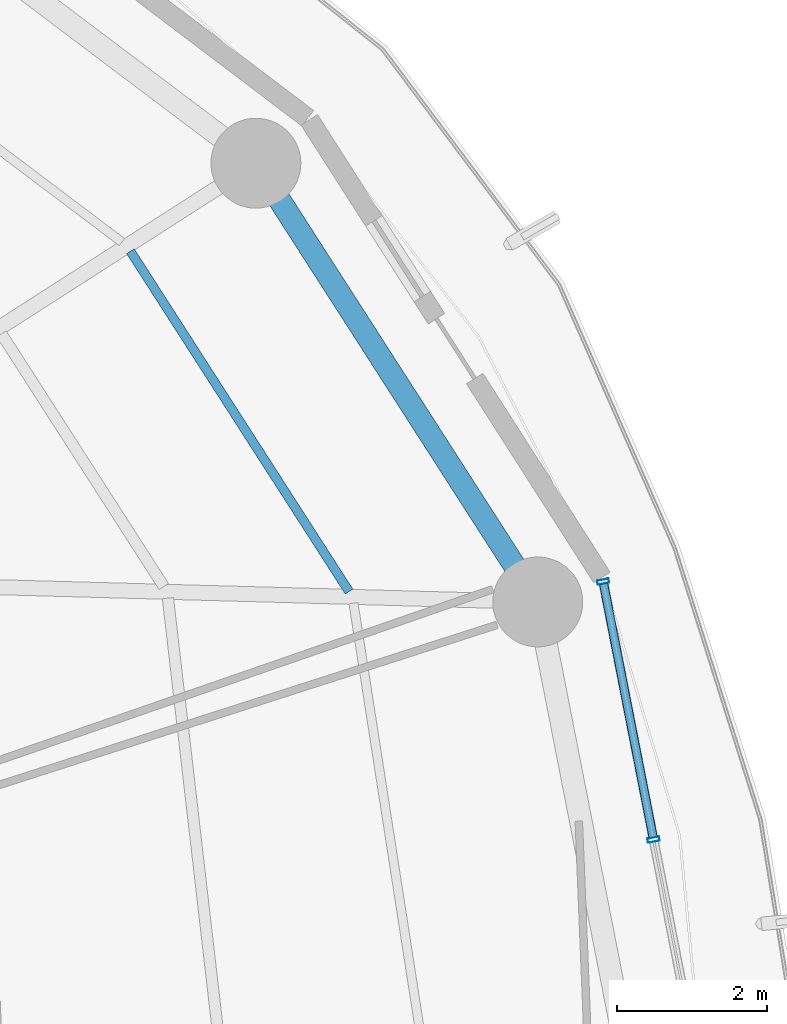
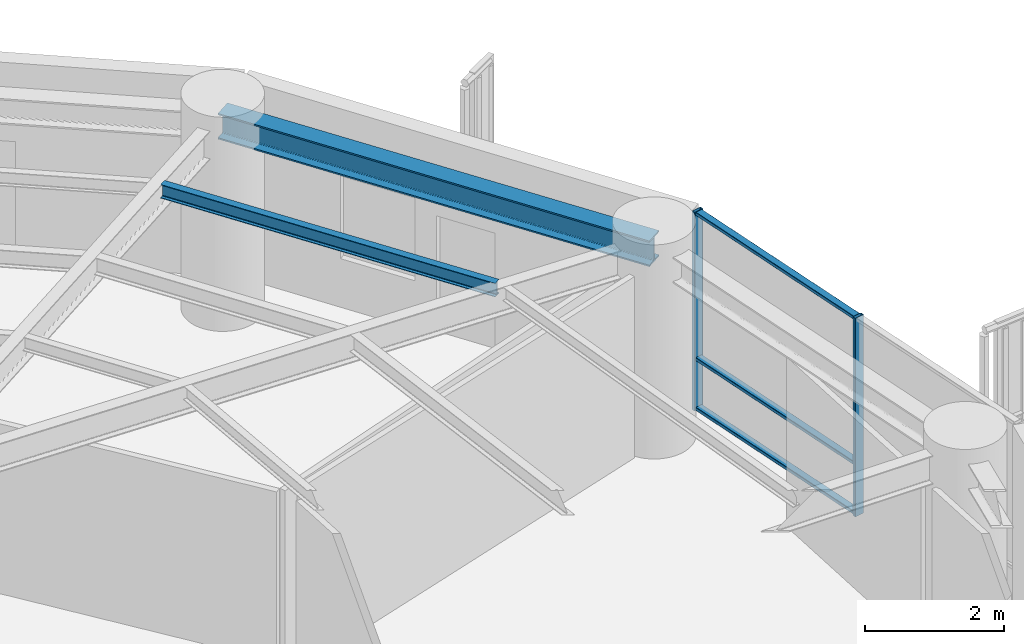
# One storey, part 15 of 28: 5 members, 2 beams, 1 element without a shape of its own.
"""IFC4 building model written with IfcOpenShell, lengths in metres."""

from ifc_helpers import new_model, si_unit, direction, frame, origin, origin_2d, place, context, subcontext, project, spatial, hollow_rectangle, i_section, extrude, material, layer, layer_set, material_profile, profile_set, type_object, element, aggregate, save


model = new_model("IFC4")

# Units and contexts
model_context = context("Model", 3, precision=1e-05, world=origin(), true_north=direction((0.0, 1.0)))
body_context = subcontext(model_context, "Body", "Model", "MODEL_VIEW")
ifc_project = project(units=[si_unit("LENGTHUNIT", "METRE"), si_unit("AREAUNIT", "SQUARE_METRE"), si_unit("VOLUMEUNIT", "CUBIC_METRE"), si_unit("PLANEANGLEUNIT", "RADIAN"), si_unit("MASSUNIT", "GRAM", prefix="KILO")], contexts=[model_context])

# Site, building, storey
site_placement = place(None, origin())
site = spatial("IfcSite", under=ifc_project, at=site_placement, CompositionType="ELEMENT")
building_placement = place(site_placement, origin())
building = spatial("IfcBuilding", under=site, at=building_placement, Name="Kelanora Arch Commons", CompositionType="ELEMENT")
storey_placement = place(building_placement, frame((0.0, 0.0, 176.85009765625)))
storey = spatial("IfcBuildingStorey", under=building, at=storey_placement, Name="L45", CompositionType="ELEMENT", Elevation=176.85009765625)

# Beams
ifc_material_1 = material(Name="Steel S355", Category="steel")
ifc_material_profile_1 = material_profile(ifc_material_1, i_section(OverallWidth=0.1201171875, OverallDepth=0.239990234375, WebThickness=0.006103515625, FlangeThickness=0.009765625, FilletRadius=0.014892578125, at=origin_2d()), Name="IPE240")
ifc_profile_set_1 = profile_set([ifc_material_profile_1], Name="Steel S355")
beam_type_1 = type_object("IfcBeamType", Name="BM-JST-02", PredefinedType="JOIST", material=ifc_profile_set_1)
beam_1_placement = place(storey_placement, frame((91.85205078125, 64.801513671875, 3.369873046875), z_axis=(-0.540581678156, 0.841291536414, 0.0), x_axis=(-0.841291536414, -0.540581678156, 0.0)))
element("IfcBeam", 1, at=beam_1_placement, inside=storey, type_object=beam_type_1, Name="Secondary Chord Joist BJC-02 L45", PredefinedType="JOIST", context=body_context, shape_type="SweptSolid", body=[
    extrude(i_section(OverallWidth=0.1201171875, OverallDepth=0.239990234375, WebThickness=0.006103515625, FlangeThickness=0.009765625, FilletRadius=0.014892578125, at=origin_2d()), origin(), (0.0, 0.0, 1.0), 5.4013671875),
])
ifc_material_profile_2 = material_profile(ifc_material_1, i_section(OverallWidth=0.300048828125, OverallDepth=0.449951171875, WebThickness=0.013916015625, FlangeThickness=0.02587890625, FilletRadius=0.027099609375, at=origin_2d()), Name="HEB450")
ifc_profile_set_2 = profile_set([ifc_material_profile_2], Name="Steel S355")
beam_type_2 = type_object("IfcBeamType", Name="BM-SPN-Z3", PredefinedType="SPANDREL", material=ifc_profile_set_2)
beam_2_placement = place(storey_placement, frame((94.37255859375, 64.66259765625, 3.264892578125), z_axis=(-0.540576852469, 0.841294637196, 0.0), x_axis=(-0.841294637196, -0.540576852469, 0.0)))
element("IfcBeam", 2, at=beam_2_placement, inside=storey, type_object=beam_type_2, Name="Perimeter Spandrel Beam BS-02 L45", PredefinedType="SPANDREL", context=body_context, shape_type="SweptSolid", body=[
    extrude(i_section(OverallWidth=0.300048828125, OverallDepth=0.449951171875, WebThickness=0.013916015625, FlangeThickness=0.02587890625, FilletRadius=0.027099609375, at=origin_2d()), origin(), (0.0, 0.0, 1.0), 6.964111328125),
])

# Curtain wall, members
ifc_material_2 = material(Name="Terracotta ceramic-fritted low-E glass and aluminium", Category="masonry")
ifc_layer = layer(ifc_material_2, 0.175048828125)
ifc_layer_set = layer_set([ifc_layer], Name="Terracotta ceramic-fritted low-E glass and aluminium")
curtain_wall_type = type_object("IfcCurtainWallType", Name="CW-SYS-02", PredefinedType="NOTDEFINED", material=ifc_layer_set)
curtain_wall_placement = place(storey_placement, origin())
curtain_wall = element("IfcCurtainWall", 3, at=curtain_wall_placement, inside=storey, type_object=curtain_wall_type, Name="Unitised Curtain Wall L45-B00", PredefinedType="NOTDEFINED")
ifc_material_3 = material(Name="Powder-coated aluminium terracotta", Category="masonry")
ifc_material_profile_3 = material_profile(ifc_material_3, hollow_rectangle(XDim=0.159912109375, YDim=0.06005859375, WallThickness=0.0048828125, InnerFilletRadius=0.0048828125, OuterFilletRadius=0.010009765625, at=origin_2d()), Name="CWM160x60")
ifc_profile_set_3 = profile_set([ifc_material_profile_3], Name="Powder-coated aluminium terracotta")
member_type_1 = type_object("IfcMemberType", Name="CWM-STD", PredefinedType="MULLION", material=ifc_profile_set_3)
member_1_placement = place(storey_placement, frame((95.91845703125, 61.488525390625, 0.0), z_axis=(0.0, 0.0, 1.0), x_axis=(-0.981452557718, -0.191705182375, 0.0)))
member_1 = element("IfcMember", 4, at=member_1_placement, type_object=member_type_1, Name="CW-02 mullion 2", PredefinedType="MULLION", context=body_context, shape_type="SweptSolid", body=[
    extrude(hollow_rectangle(XDim=0.159912109375, YDim=0.06005859375, WallThickness=0.0048828125, InnerFilletRadius=0.0048828125, OuterFilletRadius=0.010009765625, at=origin_2d()), origin(), (0.0, 0.0, 1.0), 3.474853515625),
])
member_2_placement = place(storey_placement, frame((95.245849609375, 64.93310546875, 0.0), z_axis=(0.0, 0.0, 1.0), x_axis=(-0.981452557718, -0.191705182375, 0.0)))
member_2 = element("IfcMember", 5, at=member_2_placement, type_object=member_type_1, Name="CW-02 mullion 3", PredefinedType="MULLION", context=body_context, shape_type="SweptSolid", body=[
    extrude(hollow_rectangle(XDim=0.159912109375, YDim=0.06005859375, WallThickness=0.0048828125, InnerFilletRadius=0.0048828125, OuterFilletRadius=0.010009765625, at=origin_2d()), origin(), (0.0, 0.0, 1.0), 3.474853515625),
])
ifc_material_profile_4 = material_profile(ifc_material_3, hollow_rectangle(XDim=0.1201171875, YDim=0.06005859375, WallThickness=0.0048828125, InnerFilletRadius=0.0048828125, OuterFilletRadius=0.010009765625, at=origin_2d()), Name="CWT120x60")
ifc_profile_set_4 = profile_set([ifc_material_profile_4], Name="Powder-coated aluminium terracotta")
member_type_2 = type_object("IfcMemberType", Name="CWT-STD", PredefinedType="USERDEFINED", material=ifc_profile_set_4)
member_3_placement = place(storey_placement, frame((95.912841796875, 61.51806640625, 0.02978515625), z_axis=(-0.191731523726, 0.981447412147, 0.0), x_axis=(-0.981447412147, -0.191731523726, 0.0)))
member_3 = element("IfcMember", 6, at=member_3_placement, type_object=member_type_2, Name="CW-02 transom 2.1", ObjectType="TRANSOM", PredefinedType="USERDEFINED", context=body_context, shape_type="SweptSolid", body=[
    extrude(hollow_rectangle(XDim=0.1201171875, YDim=0.06005859375, WallThickness=0.0048828125, InnerFilletRadius=0.0048828125, OuterFilletRadius=0.010009765625, at=origin_2d()), origin(), (0.0, 0.0, 1.0), 3.449462890625),
])
member_4_placement = place(storey_placement, frame((95.912841796875, 61.51806640625, 0.89990234375), z_axis=(-0.191731523726, 0.981447412147, 0.0), x_axis=(-0.981447412147, -0.191731523726, 0.0)))
member_4 = element("IfcMember", 7, at=member_4_placement, type_object=member_type_2, Name="CW-02 transom 2.2", ObjectType="TRANSOM", PredefinedType="USERDEFINED", context=body_context, shape_type="SweptSolid", body=[
    extrude(hollow_rectangle(XDim=0.1201171875, YDim=0.06005859375, WallThickness=0.0048828125, InnerFilletRadius=0.0048828125, OuterFilletRadius=0.010009765625, at=origin_2d()), origin(), (0.0, 0.0, 1.0), 3.449462890625),
])
member_5_placement = place(storey_placement, frame((95.912841796875, 61.51806640625, 3.44482421875), z_axis=(-0.191731523726, 0.981447412147, 0.0), x_axis=(-0.981447412147, -0.191731523726, 0.0)))
member_5 = element("IfcMember", 8, at=member_5_placement, type_object=member_type_2, Name="CW-02 transom 2.3", ObjectType="TRANSOM", PredefinedType="USERDEFINED", context=body_context, shape_type="SweptSolid", body=[
    extrude(hollow_rectangle(XDim=0.1201171875, YDim=0.06005859375, WallThickness=0.0048828125, InnerFilletRadius=0.0048828125, OuterFilletRadius=0.010009765625, at=origin_2d()), origin(), (0.0, 0.0, 1.0), 3.449462890625),
])
aggregate(curtain_wall, [member_1, member_2, member_3, member_4, member_5])

save(model, "model.ifc")
